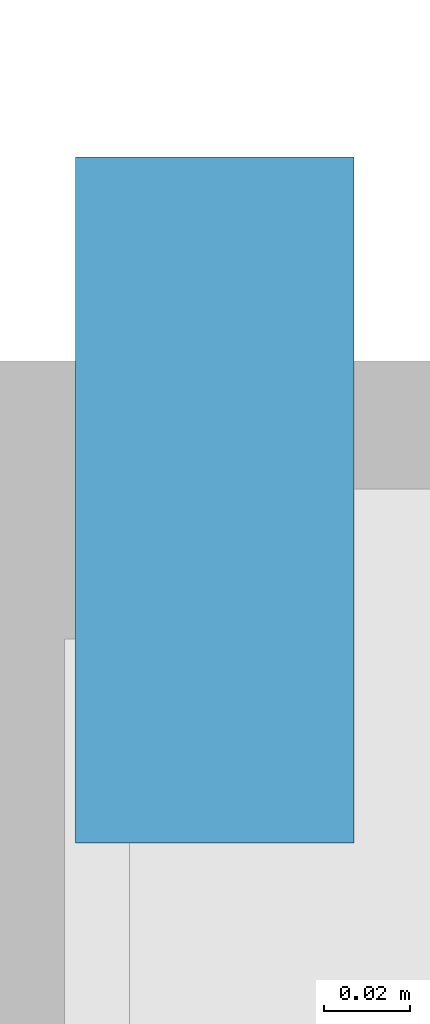
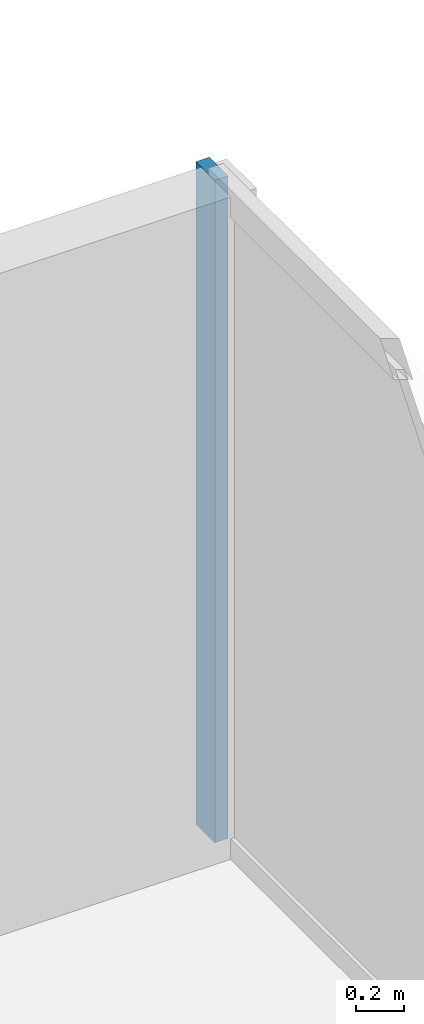
# One storey, part 6 of 14: 1 member, 1 element without a shape of its own.
"""IFC4 building model written with IfcOpenShell, lengths in metres."""

from ifc_helpers import new_model, si_unit, direction, frame, origin, origin_2d, place, context, subcontext, project, spatial, rectangle, extrude, material, layer, layer_set, material_profile, profile_set, type_object, element, aggregate, save


model = new_model("IFC4")

# Units and contexts
model_context = context("Model", 3, precision=1e-05, world=origin(), true_north=direction((0.0, 1.0)))
body_context = subcontext(model_context, "Body", "Model", "MODEL_VIEW")
ifc_project = project(units=[si_unit("LENGTHUNIT", "METRE"), si_unit("AREAUNIT", "SQUARE_METRE"), si_unit("VOLUMEUNIT", "CUBIC_METRE"), si_unit("PLANEANGLEUNIT", "RADIAN"), si_unit("MASSUNIT", "GRAM", prefix="KILO")], contexts=[model_context])

# Site, building, storey
site_placement = place(None, origin())
site = spatial("IfcSite", under=ifc_project, at=site_placement, CompositionType="ELEMENT")
building_placement = place(site_placement, origin())
building = spatial("IfcBuilding", under=site, at=building_placement, Name="Kinhvarn Gate Tower", CompositionType="ELEMENT")
storey_placement = place(building_placement, frame((0.0, 0.0, 274.10009765625)))
storey = spatial("IfcBuildingStorey", under=building, at=storey_placement, Name="L73", CompositionType="ELEMENT", Elevation=274.10009765625)

# Curtain wall, member
ifc_material = material(Name="Anodised aluminium AW-6063", Category="aluminium")
ifc_layer = layer(ifc_material, 0.179931640625)
ifc_layer_set = layer_set([ifc_layer], Name="Anodised aluminium AW-6063")
curtain_wall_type = type_object("IfcCurtainWallType", Name="CW-SYS-3", PredefinedType="NOTDEFINED", material=ifc_layer_set)
curtain_wall_placement = place(storey_placement, origin())
curtain_wall = element("IfcCurtainWall", 1, at=curtain_wall_placement, inside=storey, type_object=curtain_wall_type, Name="Curtain Wall CW3 (L73)", PredefinedType="NOTDEFINED")
ifc_material_profile = material_profile(ifc_material, rectangle(XDim=0.06494140625, YDim=0.159912109375, at=origin_2d()), Name="ALU 65x160")
ifc_profile_set = profile_set([ifc_material_profile], Name="Anodised aluminium AW-6063")
member_type = type_object("IfcMemberType", Name="CW-MUL-160", PredefinedType="MULLION", material=ifc_profile_set)
member_placement = place(storey_placement, frame((44.409912109375, 39.367431640625, 0.0), z_axis=(0.0, 0.0, 1.0), x_axis=(-1.0, 0.0, 0.0)))
member = element("IfcMember", 2, at=member_placement, type_object=member_type, Name="CW3 mullion 7", PredefinedType="MULLION", context=body_context, shape_type="SweptSolid", body=[
    extrude(rectangle(XDim=0.06494140625, YDim=0.159912109375, at=origin_2d()), origin(), (0.0, 0.0, 1.0), 3.389892578125),
])
aggregate(curtain_wall, [member])

save(model, "model.ifc")
